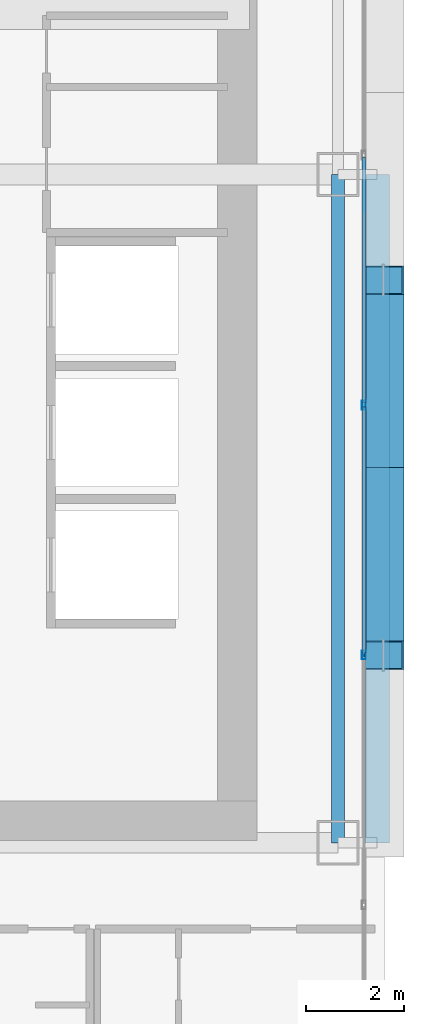
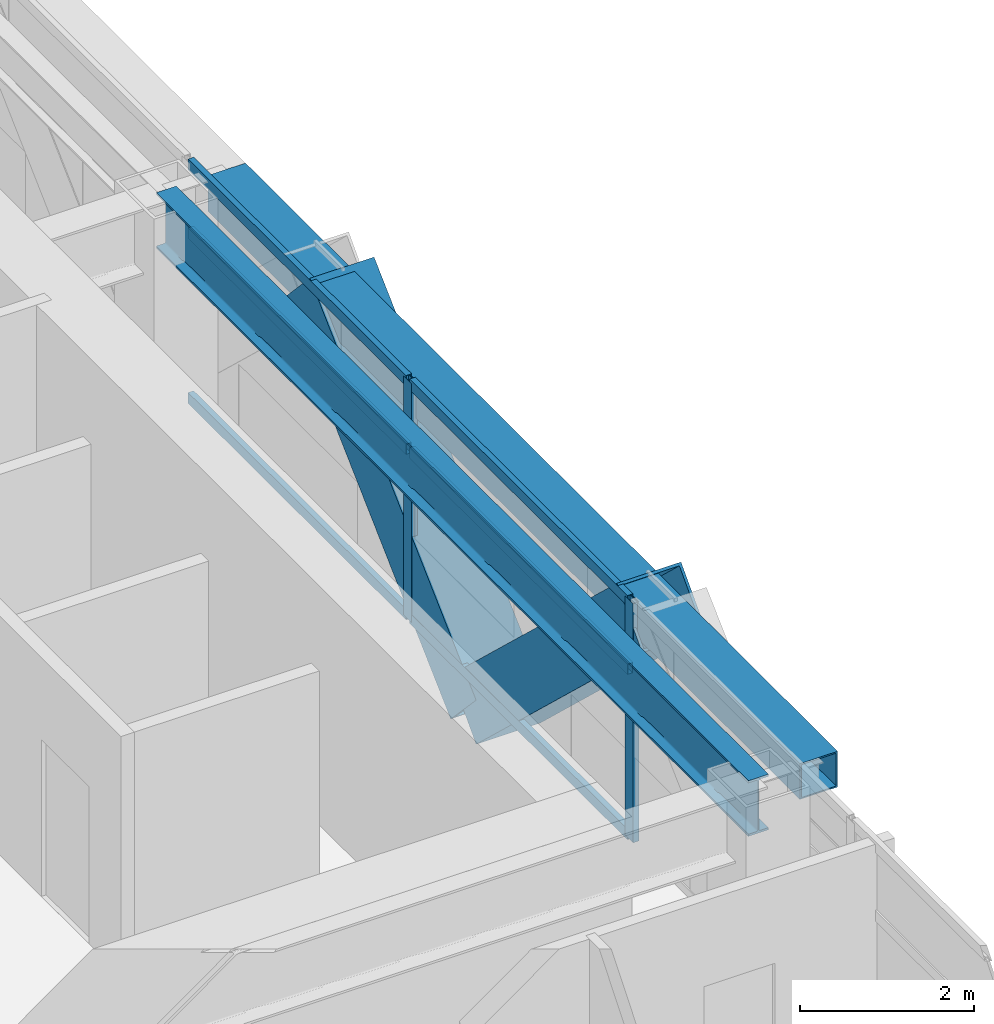
# One storey, part 13 of 36: 10 members, 2 beams, 1 element without a shape of its own.
"""IFC4 building model written with IfcOpenShell, lengths in metres."""

from ifc_helpers import new_model, si_unit, direction, frame, origin, origin_2d, place, context, subcontext, project, spatial, hollow_rectangle, i_section, extrude, source, transform, mapped, material, layer, layer_set, material_profile, profile_set, type_object, element, aggregate, save


model = new_model("IFC4")

# Units and contexts
model_context = context("Model", 3, precision=1e-05, world=origin(), true_north=direction((0.0, 1.0)))
body_context = subcontext(model_context, "Body", "Model", "MODEL_VIEW")
ifc_project = project(units=[si_unit("LENGTHUNIT", "METRE"), si_unit("AREAUNIT", "SQUARE_METRE"), si_unit("VOLUMEUNIT", "CUBIC_METRE"), si_unit("PLANEANGLEUNIT", "RADIAN"), si_unit("MASSUNIT", "GRAM", prefix="KILO")], contexts=[model_context])

# Site, building, storey
site_placement = place(None, origin())
site = spatial("IfcSite", under=ifc_project, at=site_placement, CompositionType="ELEMENT")
building_placement = place(site_placement, origin())
building = spatial("IfcBuilding", under=site, at=building_placement, Name="Ocotamira Hotel", CompositionType="ELEMENT")
storey_placement = place(building_placement, frame((0.0, 0.0, 42.0)))
storey = spatial("IfcBuildingStorey", under=building, at=storey_placement, Name="L09", CompositionType="ELEMENT", Elevation=42.0)

# Beams
ifc_material_1 = material(Name="Steel ASTM A992 Grade 50", Category="steel")
ifc_material_profile_1 = material_profile(ifc_material_1, i_section(OverallWidth=0.26611328125, OverallDepth=0.779052734375, WebThickness=0.0166015625, FlangeThickness=0.030029296875, FilletRadius=0.01806640625, at=origin_2d()), Name="W30X148")
ifc_profile_set_1 = profile_set([ifc_material_profile_1], Name="Steel ASTM A992 Grade 50")
beam_type_1 = type_object("IfcBeamType", Name="BM-GIRD-W30X148", PredefinedType="BEAM", material=ifc_profile_set_1)
shared_shape_1 = source(origin(), body_context, "Body", "SweptSolid", [
    extrude(i_section(OverallWidth=0.26611328125, OverallDepth=0.779052734375, WebThickness=0.0166015625, FlangeThickness=0.030029296875, FilletRadius=0.01806640625, at=origin_2d()), origin(), (0.0, 0.0, 1.0), 13.599853515625),
])
beam_1_placement = place(storey_placement, frame((55.050048828125, 14.550048828125, 2.96044921875), z_axis=(0.0, 1.0, 0.0), x_axis=(-1.0, 0.0, 0.0)))
element("IfcBeam", 1, at=beam_1_placement, inside=storey, type_object=beam_type_1, Name="L09 Beam X55.05 Y14.55-28.15", PredefinedType="BEAM", context=body_context, shape_type="MappedRepresentation", body=[
    mapped(shared_shape_1, transform((0.0, 0.0, 0.0), scale=1.0)),
])
ifc_material_2 = material(Name="Steel ASTM A500 Grade C", Category="steel")
ifc_material_profile_2 = material_profile(ifc_material_2, hollow_rectangle(XDim=0.5, YDim=0.5, WallThickness=0.02001953125, at=origin_2d()), Name="HSS500X500X20")
ifc_profile_set_2 = profile_set([ifc_material_profile_2], Name="Steel ASTM A500 Grade C")
beam_type_2 = type_object("IfcBeamType", Name="BM-SPAN-HSS500", PredefinedType="USERDEFINED", material=ifc_profile_set_2)
shared_shape_2 = source(origin(), body_context, "Body", "SweptSolid", [
    extrude(hollow_rectangle(XDim=0.5, YDim=0.5, WallThickness=0.02001953125, at=origin_2d()), origin(), (0.0, 0.0, 1.0), 13.599853515625),
])
beam_2_placement = place(storey_placement, frame((55.85009765625, 14.550048828125, 3.10009765625), z_axis=(0.0, 1.0, 0.0), x_axis=(-1.0, 0.0, 0.0)))
element("IfcBeam", 2, at=beam_2_placement, inside=storey, type_object=beam_type_2, Name="L09 Edge Spandrel E Y14.55-28.15", ObjectType="SPANDREL", PredefinedType="USERDEFINED", context=body_context, shape_type="MappedRepresentation", body=[
    mapped(shared_shape_2, transform((0.0, 0.0, 0.0), scale=1.0)),
])

# Members
ifc_material_3 = material(Name="Pale-metal coated steel ASTM A913 Grade 65", Category="steel")
ifc_material_profile_3 = material_profile(ifc_material_3, hollow_rectangle(XDim=0.85009765625, YDim=0.85009765625, WallThickness=0.035888671875, at=origin_2d()), Name="BOX850X850X36")
ifc_profile_set_3 = profile_set([ifc_material_profile_3], Name="Pale-metal coated steel ASTM A913 Grade 65")
member_type_1 = type_object("IfcMemberType", Name="MEM-EXO-BOX850", PredefinedType="BRACE", material=ifc_profile_set_3)
shared_shape_3 = source(origin(), body_context, "Body", "SweptSolid", [
    extrude(hollow_rectangle(XDim=0.85009765625, YDim=0.85009765625, WallThickness=0.035888671875, at=origin_2d()), origin(), (0.0, 0.0, 1.0), 5.24658203125),
])
for number, where, z_axis, x_axis, name in (
    (3, (55.969970703125, 22.183349609375, -0.5), (0.0, -0.727442733726, 0.686168397078), (1.0, 0.0, 0.0), "L09 Exoskeleton Diagrid E0.2"),
    (4, (55.969970703125, 22.183349609375, -0.5), (0.0, 0.727442733726, 0.686168397078), (-1.0, 0.0, 0.0), "L09 Exoskeleton Diagrid E1.1"),
):
    element("IfcMember", number, at=place(storey_placement, frame(where, z_axis=z_axis, x_axis=x_axis)), inside=storey, type_object=member_type_1, Name=name, PredefinedType="BRACE", context=body_context, shape_type="MappedRepresentation", body=[
        mapped(shared_shape_3, transform((0.0, 0.0, 0.0), scale=1.0)),
    ])

# Curtain wall, members
ifc_material_4 = material(Name="Anodised pale-metal aluminium and solar glass", Category="aluminium")
ifc_layer = layer(ifc_material_4, 0.179931640625)
ifc_layer_set = layer_set([ifc_layer], Name="Anodised pale-metal aluminium and solar glass")
curtain_wall_type = type_object("IfcCurtainWallType", Name="CW-SYS2-Z1", PredefinedType="NOTDEFINED", material=ifc_layer_set)
curtain_wall_placement = place(storey_placement, origin())
curtain_wall = element("IfcCurtainWall", 5, at=curtain_wall_placement, inside=storey, type_object=curtain_wall_type, Name="L09 Curtain Wall CW-2 CW-L09-E", PredefinedType="NOTDEFINED")
ifc_material_5 = material(Name="Anodised pale-metal aluminium 6063-T6", Category="aluminium")
ifc_material_profile_4 = material_profile(ifc_material_5, hollow_rectangle(XDim=0.074951171875, YDim=0.14990234375, WallThickness=0.006103515625, at=origin_2d()), Name="HSS150X75X6")
ifc_profile_set_4 = profile_set([ifc_material_profile_4], Name="Anodised pale-metal aluminium 6063-T6")
member_type_2 = type_object("IfcMemberType", Name="CWT-150X75", PredefinedType="USERDEFINED", material=ifc_profile_set_4)
shared_shape_4 = source(origin(), body_context, "Body", "SweptSolid", [
    extrude(hollow_rectangle(XDim=0.074951171875, YDim=0.14990234375, WallThickness=0.006103515625, at=origin_2d()), origin(), (0.0, 0.0, 1.0), 5.005859375),
])
member_1_placement = place(storey_placement, frame((55.580078125, 18.411376953125, 0.03759765625), z_axis=(0.0, 1.0, 0.0), x_axis=(-1.0, 0.0, 0.0)))
member_1 = element("IfcMember", 6, at=member_1_placement, type_object=member_type_2, Name="CW-2 transom 3.1", ObjectType="TRANSOM", PredefinedType="USERDEFINED", context=body_context, shape_type="MappedRepresentation", body=[
    mapped(shared_shape_4, transform((0.0, 0.0, 0.0), scale=1.0)),
])
member_2_placement = place(storey_placement, frame((55.580078125, 18.411376953125, 2.35009765625), z_axis=(0.0, 1.0, 0.0), x_axis=(-1.0, 0.0, 0.0)))
member_2 = element("IfcMember", 7, at=member_2_placement, type_object=member_type_2, Name="CW-2 transom 3.2", ObjectType="TRANSOM", PredefinedType="USERDEFINED", context=body_context, shape_type="MappedRepresentation", body=[
    mapped(shared_shape_4, transform((0.0, 0.0, 0.0), scale=1.0)),
])
member_3_placement = place(storey_placement, frame((55.580078125, 18.411376953125, 3.3125), z_axis=(0.0, 1.0, 0.0), x_axis=(-1.0, 0.0, 0.0)))
member_3 = element("IfcMember", 8, at=member_3_placement, type_object=member_type_2, Name="CW-2 transom 3.3", ObjectType="TRANSOM", PredefinedType="USERDEFINED", context=body_context, shape_type="MappedRepresentation", body=[
    mapped(shared_shape_4, transform((0.0, 0.0, 0.0), scale=1.0)),
])
member_4_placement = place(storey_placement, frame((55.580078125, 23.4970703125, 0.03759765625), z_axis=(0.0, 1.0, 0.0), x_axis=(-1.0, 0.0, 0.0)))
member_4 = element("IfcMember", 9, at=member_4_placement, type_object=member_type_2, Name="CW-2 transom 4.1", ObjectType="TRANSOM", PredefinedType="USERDEFINED", context=body_context, shape_type="MappedRepresentation", body=[
    mapped(shared_shape_4, transform((0.0, 0.0, 0.0), scale=1.0)),
])
member_5_placement = place(storey_placement, frame((55.580078125, 23.4970703125, 2.35009765625), z_axis=(0.0, 1.0, 0.0), x_axis=(-1.0, 0.0, 0.0)))
member_5 = element("IfcMember", 10, at=member_5_placement, type_object=member_type_2, Name="CW-2 transom 4.2", ObjectType="TRANSOM", PredefinedType="USERDEFINED", context=body_context, shape_type="MappedRepresentation", body=[
    mapped(shared_shape_4, transform((0.0, 0.0, 0.0), scale=1.0)),
])
member_6_placement = place(storey_placement, frame((55.580078125, 23.4970703125, 3.3125), z_axis=(0.0, 1.0, 0.0), x_axis=(-1.0, 0.0, 0.0)))
member_6 = element("IfcMember", 11, at=member_6_placement, type_object=member_type_2, Name="CW-2 transom 4.3", ObjectType="TRANSOM", PredefinedType="USERDEFINED", context=body_context, shape_type="MappedRepresentation", body=[
    mapped(shared_shape_4, transform((0.0, 0.0, 0.0), scale=1.0)),
])
ifc_material_profile_5 = material_profile(ifc_material_5, hollow_rectangle(XDim=0.080078125, YDim=0.179931640625, WallThickness=0.006103515625, at=origin_2d()), Name="HSS180X80X6")
ifc_profile_set_5 = profile_set([ifc_material_profile_5], Name="Anodised pale-metal aluminium 6063-T6")
member_type_3 = type_object("IfcMemberType", Name="CWM-180X75", PredefinedType="MULLION", material=ifc_profile_set_5)
shared_shape_5 = source(origin(), body_context, "Body", "SweptSolid", [
    extrude(hollow_rectangle(XDim=0.080078125, YDim=0.179931640625, WallThickness=0.006103515625, at=origin_2d()), origin(), (0.0, 0.0, 1.0), 3.35009765625),
])
member_7_placement = place(storey_placement, frame((55.580078125, 18.371337890625, 0.0), z_axis=(0.0, 0.0, 1.0), x_axis=(-1.0, 0.0, 0.0)))
member_7 = element("IfcMember", 12, at=member_7_placement, type_object=member_type_3, Name="CW-2 mullion 3", PredefinedType="MULLION", context=body_context, shape_type="MappedRepresentation", body=[
    mapped(shared_shape_5, transform((0.0, 0.0, 0.0), scale=1.0)),
])
member_8_placement = place(storey_placement, frame((55.580078125, 23.45703125, 0.0), z_axis=(0.0, 0.0, 1.0), x_axis=(-1.0, 0.0, 0.0)))
member_8 = element("IfcMember", 13, at=member_8_placement, type_object=member_type_3, Name="CW-2 mullion 4", PredefinedType="MULLION", context=body_context, shape_type="MappedRepresentation", body=[
    mapped(shared_shape_5, transform((0.0, 0.0, 0.0), scale=1.0)),
])
aggregate(curtain_wall, [member_7, member_8, member_1, member_2, member_3, member_4, member_5, member_6])

save(model, "model.ifc")
